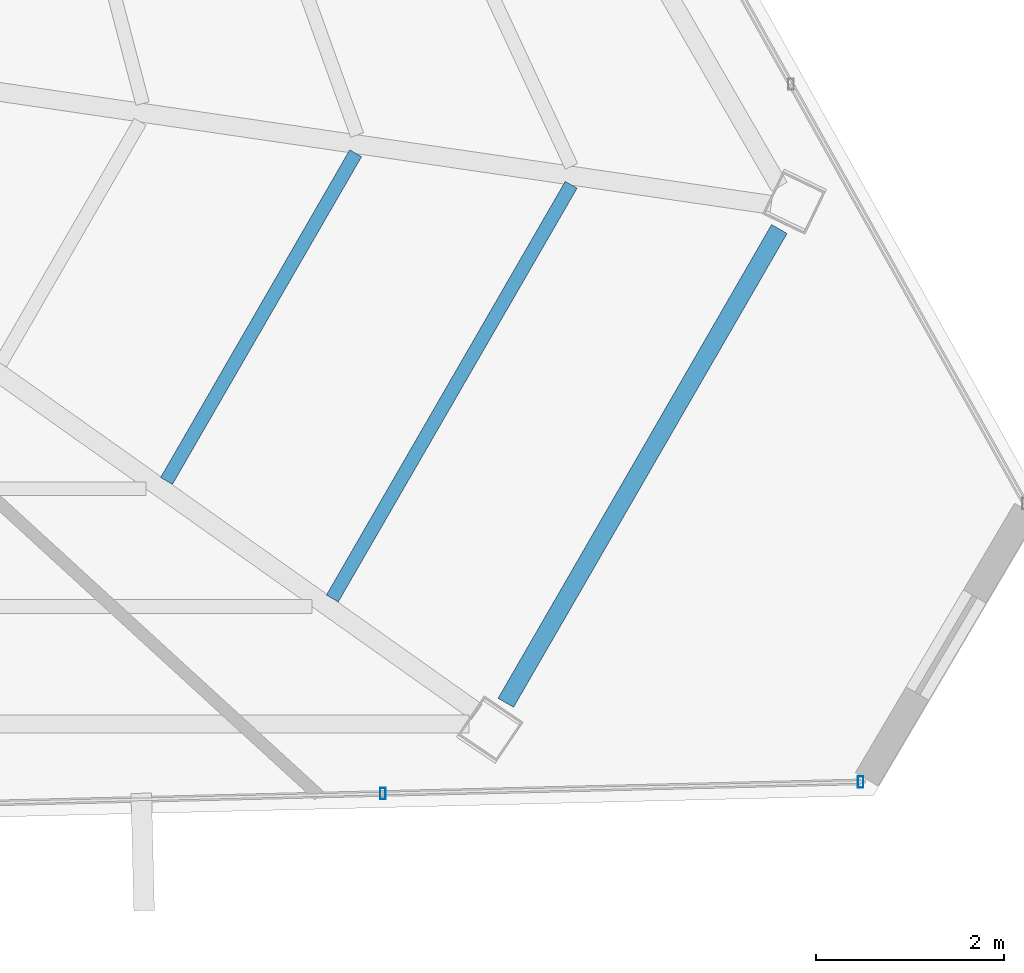
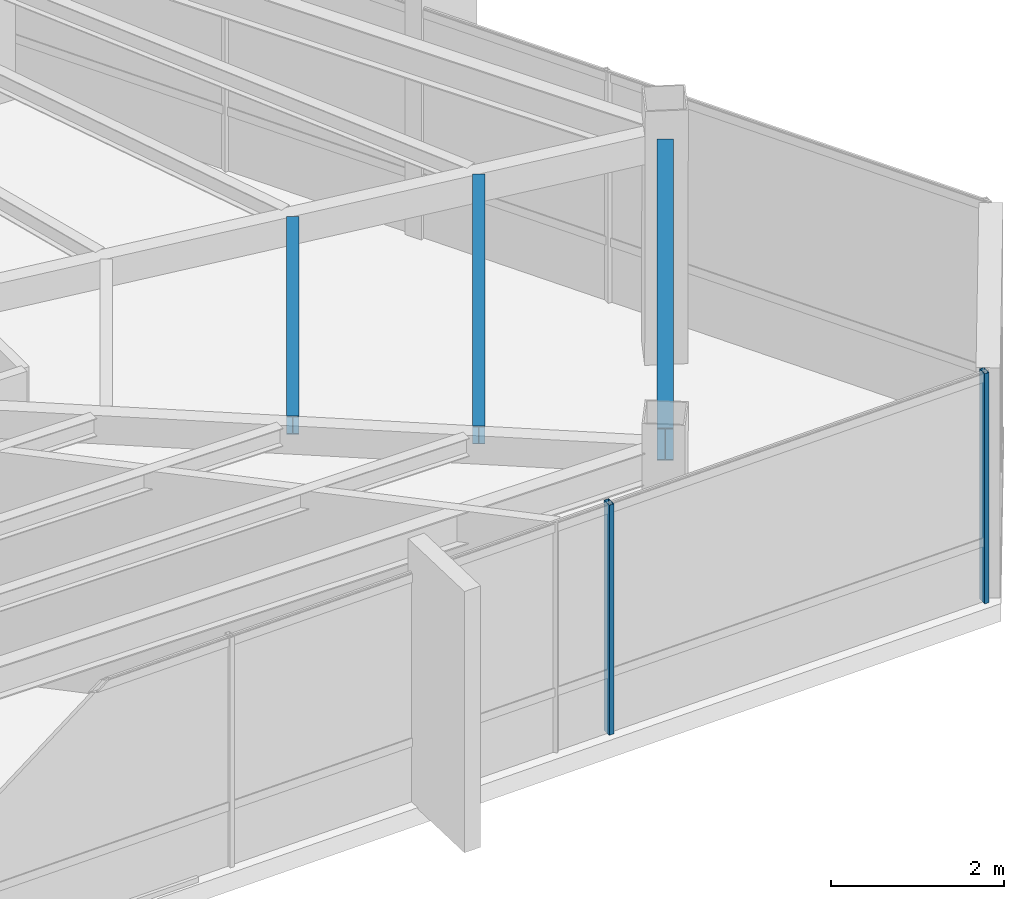
# One storey, part 23 of 44: 3 beams, 2 members, 1 element without a shape of its own.
"""IFC4 building model written with IfcOpenShell, lengths in metres."""

from ifc_helpers import new_model, si_unit, direction, frame, origin, origin_2d, place, context, subcontext, project, spatial, hollow_rectangle, i_section, extrude, source, transform, mapped, material, material_profile, profile_set, type_object, type_shapes, element, aggregate, save


model = new_model("IFC4")

# Units and contexts
model_context = context("Model", 3, precision=1e-05, world=origin(), true_north=direction((0.0, 1.0)))
body_context = subcontext(model_context, "Body", "Model", "MODEL_VIEW")
ifc_project = project(units=[si_unit("LENGTHUNIT", "METRE"), si_unit("AREAUNIT", "SQUARE_METRE"), si_unit("VOLUMEUNIT", "CUBIC_METRE"), si_unit("PLANEANGLEUNIT", "RADIAN"), si_unit("MASSUNIT", "GRAM", prefix="KILO")], contexts=[model_context])

# Site, building, storey
site_placement = place(None, origin())
site = spatial("IfcSite", under=ifc_project, at=site_placement, CompositionType="ELEMENT")
building_placement = place(site_placement, origin())
building = spatial("IfcBuilding", under=site, at=building_placement, Name="Caelisora Broadcast Tower", CompositionType="ELEMENT")
storey_placement = place(building_placement, frame((0.0, 0.0, 280.949951171875)))
storey = spatial("IfcBuildingStorey", under=building, at=storey_placement, Name="L74", CompositionType="ELEMENT", Elevation=280.949951171875)

# Beams
ifc_material_1 = material(Name="Steel Grade 350 (AS/NZS 3679.1)", Category="steel")
ifc_material_profile_1 = material_profile(ifc_material_1, i_section(OverallWidth=0.19091796875, OverallDepth=0.46044921875, WebThickness=0.010009765625, FlangeThickness=0.01611328125, at=origin_2d()), Name="Steel Grade 350 (AS/NZS 3679.1)")
ifc_profile_set_1 = profile_set([ifc_material_profile_1], Name="Steel Grade 350 (AS/NZS 3679.1)")
beam_type_1 = type_object("IfcBeamType", Name="PG06", PredefinedType="BEAM", material=ifc_profile_set_1)
shared_shape_1 = source(origin(), body_context, "Body", "SweptSolid", [
    extrude(i_section(OverallWidth=0.19091796875, OverallDepth=0.46044921875, WebThickness=0.010009765625, FlangeThickness=0.01611328125, at=origin_2d()), origin(), (0.0, 0.0, 1.0), 5.824462890625),
])
type_shapes(beam_type_1, [shared_shape_1])
beam_1_placement = place(storey_placement, frame((56.2236328125, 10.11572265625, 3.019775390625), z_axis=(0.50001150857, 0.866018759206, 0.0), x_axis=(-0.866018759206, 0.50001150857, 0.0)))
element("IfcBeam", 1, at=beam_1_placement, inside=storey, type_object=beam_type_1, Name="L74 beam PG06", PredefinedType="BEAM", context=body_context, shape_type="MappedRepresentation", body=[
    mapped(shared_shape_1, transform((0.0, 0.0, 0.0), scale=1.0)),
])
ifc_material_profile_2 = material_profile(ifc_material_1, i_section(OverallWidth=0.14599609375, OverallDepth=0.256103515625, WebThickness=0.00634765625, FlangeThickness=0.010986328125, at=origin_2d()), Name="Steel Grade 350 (AS/NZS 3679.1)")
ifc_profile_set_2 = profile_set([ifc_material_profile_2], Name="Steel Grade 350 (AS/NZS 3679.1)")
beam_type_2 = type_object("IfcBeamType", Name="SB04", PredefinedType="JOIST", material=ifc_profile_set_2)
shared_shape_2 = source(origin(), body_context, "Body", "SweptSolid", [
    extrude(i_section(OverallWidth=0.14599609375, OverallDepth=0.256103515625, WebThickness=0.00634765625, FlangeThickness=0.010986328125, at=origin_2d()), origin(), (0.0, 0.0, 1.0), 4.02783203125),
])
beam_2_placement = place(storey_placement, frame((52.611083984375, 12.47802734375, 3.1220703125), z_axis=(0.499991787927, 0.866030144975, 0.0), x_axis=(-0.866030144975, 0.499991787927, 0.0)))
element("IfcBeam", 2, at=beam_2_placement, inside=storey, type_object=beam_type_2, Name="L74 beam SB04", PredefinedType="JOIST", context=body_context, shape_type="MappedRepresentation", body=[
    mapped(shared_shape_2, transform((0.0, 0.0, 0.0), scale=1.0)),
])
shared_shape_3 = source(origin(), body_context, "Body", "SweptSolid", [
    extrude(i_section(OverallWidth=0.14599609375, OverallDepth=0.256103515625, WebThickness=0.00634765625, FlangeThickness=0.010986328125, at=origin_2d()), origin(), (0.0, 0.0, 1.0), 5.08544921875),
])
type_shapes(beam_type_2, [shared_shape_2, shared_shape_3])
beam_3_placement = place(storey_placement, frame((54.376708984375, 11.226318359375, 3.1220703125), z_axis=(0.500006426884, 0.866021693189, 0.0), x_axis=(-0.866021693189, 0.500006426884, 0.0)))
element("IfcBeam", 3, at=beam_3_placement, inside=storey, type_object=beam_type_2, Name="L74 beam SB04", PredefinedType="JOIST", context=body_context, shape_type="MappedRepresentation", body=[
    mapped(shared_shape_3, transform((0.0, 0.0, 0.0), scale=1.0)),
])

# Curtain wall, members
ifc_material_2 = material(Name="Unitised Aluminium and Low-E Glass Curtain Wall", Category="glass")
curtain_wall_type = type_object("IfcCurtainWallType", Name="CW-Z5", PredefinedType="NOTDEFINED", material=ifc_material_2)
curtain_wall_placement = place(storey_placement, origin())
curtain_wall = element("IfcCurtainWall", 4, at=curtain_wall_placement, inside=storey, type_object=curtain_wall_type, Name="L74 curtain wall CW-Z5", PredefinedType="NOTDEFINED")
ifc_material_3 = material(Name="Aluminium 6063-T6 Anodised Terracotta Bronze", Category="aluminium")
ifc_material_profile_3 = material_profile(ifc_material_3, hollow_rectangle(XDim=0.06005859375, YDim=0.1201171875, WallThickness=0.0029296875, at=origin_2d()), Name="Aluminium 6063-T6 Anodised Terracotta Bronze")
ifc_profile_set_3 = profile_set([ifc_material_profile_3], Name="Aluminium 6063-T6 Anodised Terracotta Bronze")
member_type = type_object("IfcMemberType", Name="CWM-04", PredefinedType="MULLION", material=ifc_profile_set_3)
shared_shape_4 = source(origin(), body_context, "Body", "SweptSolid", [
    extrude(hollow_rectangle(XDim=0.06005859375, YDim=0.1201171875, WallThickness=0.0029296875, at=origin_2d()), origin(), (0.0, 0.0, 1.0), 3.25),
])
type_shapes(member_type, [shared_shape_4])
member_1_placement = place(storey_placement, frame((60.0009765625, 9.273681640625, 0.0), z_axis=(0.0, 0.0, 1.0), x_axis=(1.0, 0.0, 0.0)))
member_1 = element("IfcMember", 5, at=member_1_placement, type_object=member_type, Name="L74-CW-B05 mullion #0", PredefinedType="MULLION", context=body_context, shape_type="MappedRepresentation", body=[
    mapped(shared_shape_4, transform((0.0, 0.0, 0.0), scale=1.0)),
])
member_2_placement = place(storey_placement, frame((54.914794921875, 9.150146484375, 0.0), z_axis=(0.0, 0.0, 1.0), x_axis=(1.0, 0.0, 0.0)))
member_2 = element("IfcMember", 6, at=member_2_placement, type_object=member_type, Name="L74-CW-B05 mullion #1", PredefinedType="MULLION", context=body_context, shape_type="MappedRepresentation", body=[
    mapped(shared_shape_4, transform((0.0, 0.0, 0.0), scale=1.0)),
])
aggregate(curtain_wall, [member_1, member_2])

save(model, "model.ifc")
